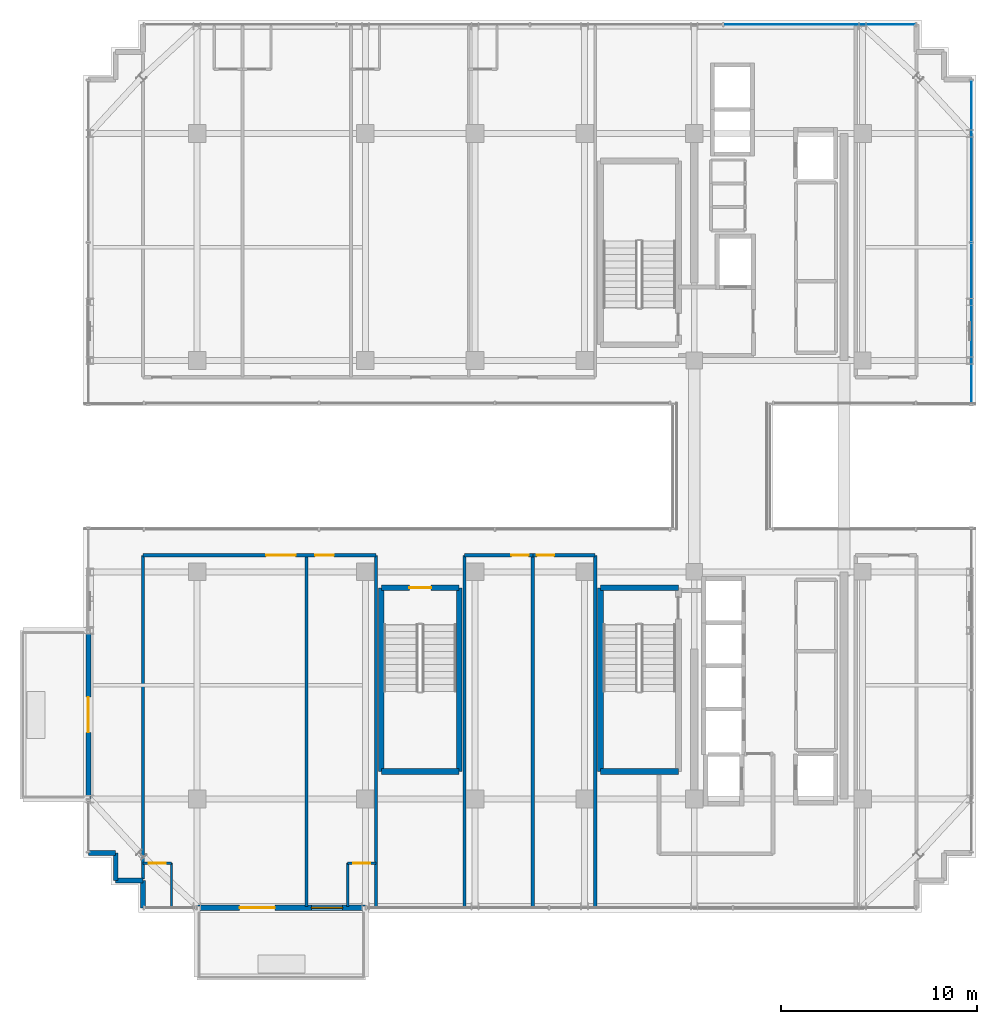
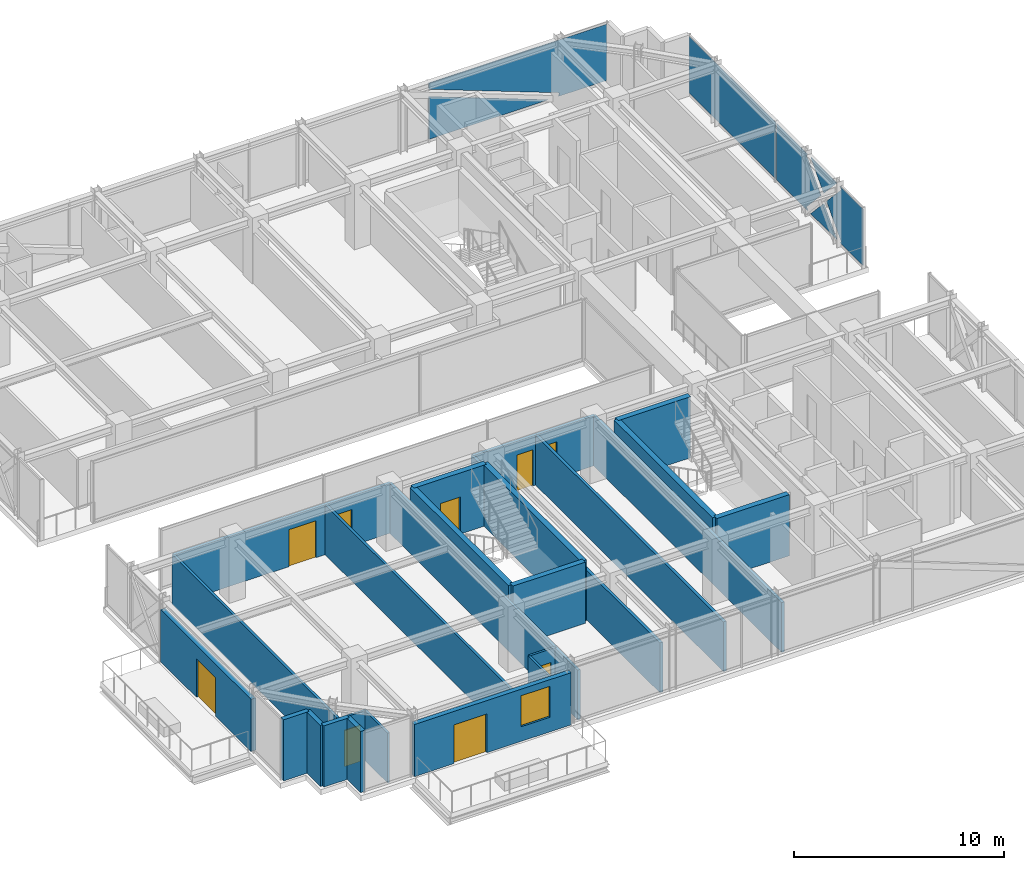
# One storey, part 30 of 37: 26 walls, 9 doors, 3 plates, 1 window, 10 openings, 2 elements without a shape of their own.
"""IFC4 building model written with IfcOpenShell, lengths in metres."""

from ifc_helpers import new_model, si_unit, direction, frame, frame_2d, origin, origin_2d, place, context, subcontext, project, spatial, polyline, rectangle, outline, extrude, source, transform, mapped, material, layer, layer_set, type_object, element, fill, aggregate, save


model = new_model("IFC4")

# Units and contexts
model_context = context("Model", 3, precision=1e-05, world=origin(), true_north=direction((0.0, 1.0)))
body_context = subcontext(model_context, "Body", "Model", "MODEL_VIEW")
ifc_project = project(units=[si_unit("LENGTHUNIT", "METRE"), si_unit("AREAUNIT", "SQUARE_METRE"), si_unit("VOLUMEUNIT", "CUBIC_METRE"), si_unit("PLANEANGLEUNIT", "RADIAN"), si_unit("MASSUNIT", "GRAM", prefix="KILO")], contexts=[model_context])

# Site, building, storey
site_placement = place(None, origin())
site = spatial("IfcSite", under=ifc_project, at=site_placement, CompositionType="ELEMENT")
building_placement = place(site_placement, origin())
building = spatial("IfcBuilding", under=site, at=building_placement, Name="Nahalor Promenade Grand Hotel", CompositionType="ELEMENT")
storey_placement = place(building_placement, frame((0.0, 0.0, 292.64990234375)))
storey = spatial("IfcBuildingStorey", under=building, at=storey_placement, Name="L75", CompositionType="ELEMENT", Elevation=292.64990234375)

# Curtain wall, plate
ifc_material_1 = material(Name="Anodised Bronze Aluminium EN AW-6063 T6", Category="aluminium")
curtain_wall_type = type_object("IfcCurtainWallType", Name="CW3 Elliptical-Void Collar Unitised Curtain Wall", PredefinedType="USERDEFINED", material=ifc_material_1)
curtain_wall_1_placement = place(storey_placement, origin())
curtain_wall_1 = element("IfcCurtainWall", 1, at=curtain_wall_1_placement, inside=storey, type_object=curtain_wall_type, Name="L75 Curtain Wall CW-L75-N-1", ObjectType="UNITISED_CURTAIN_WALL", PredefinedType="USERDEFINED")
ifc_material_2 = material(Name="Low-E Laminated Solar Glass", Category="glass")
ifc_layer_1 = layer(ifc_material_2, 0.030029296875)
ifc_layer_set_1 = layer_set([ifc_layer_1], Name="Low-E Laminated Solar Glass")
plate_type = type_object("IfcPlateType", Name="CWP3 High-Wind Laminated Bronze IGU 30mm", PredefinedType="CURTAIN_PANEL", material=ifc_layer_set_1)
plate_1_placement = place(storey_placement, frame((14.802490234375, 22.56005859375, 0.14013671875), z_axis=(0.0, 0.0, 1.0), x_axis=(1.0, 0.0, 0.0)))
plate_1 = element("IfcPlate", 2, at=plate_1_placement, type_object=plate_type, Name="CW-L75-N-1 Glazing Panel 3-0", PredefinedType="CURTAIN_PANEL", context=body_context, shape_type="SweptSolid", body=[
    extrude(outline(polyline([(4.887451171875, 3.27001953125), (-4.887451171875, 3.27001953125), (-4.887451171875, 2.9013671875), (2.29150390625, 0.188232421875), (2.220458984375, 0.0), (4.887451171875, 0.0), (4.887451171875, 3.27001953125)])), frame((0.0, 0.01513671875, 0.0), z_axis=(0.0, -1.0, 0.0), x_axis=(1.0, 0.0, 0.0)), (0.0, 0.0, 1.0), 0.030029296875),
    extrude(outline(polyline([(-4.887451171875, 2.4736328125), (-4.887451171875, 0.0), (1.658203125, 0.0), (-4.887451171875, 2.4736328125)])), frame((0.0, 0.01513671875, 0.0), z_axis=(0.0, -1.0, 0.0), x_axis=(1.0, 0.0, 0.0)), (0.0, 0.0, 1.0), 0.030029296875),
])
aggregate(curtain_wall_1, [plate_1])

# Curtain wall, plates
curtain_wall_2_placement = place(storey_placement, origin())
curtain_wall_2 = element("IfcCurtainWall", 3, at=curtain_wall_2_placement, inside=storey, type_object=curtain_wall_type, Name="L75 Curtain Wall CW-L75-E-2", ObjectType="UNITISED_CURTAIN_WALL", PredefinedType="USERDEFINED")
plate_2_placement = place(storey_placement, frame((22.56005859375, 7.282470703125, 0.14013671875), z_axis=(0.0, 0.0, 1.0), x_axis=(0.0, 1.0, 0.0)))
plate_2 = element("IfcPlate", 4, at=plate_2_placement, type_object=plate_type, Name="CW-L75-E-2 Glazing Panel 0-0", PredefinedType="CURTAIN_PANEL", context=body_context, shape_type="SweptSolid", body=[
    extrude(outline(polyline([(-4.112548828125, 3.27001953125), (-4.112548828125, 0.0), (-1.908447265625, 0.0), (-2.04638671875, 0.127197265625), (-0.65478515625, 1.635009765625), (-2.04638671875, 3.142822265625), (-1.908447265625, 3.27001953125), (-4.112548828125, 3.27001953125)])), frame((0.0, 0.01513671875, 0.0), z_axis=(0.0, -1.0, 0.0), x_axis=(1.0, 0.0, 0.0)), (0.0, 0.0, 1.0), 0.030029296875),
    extrude(outline(polyline([(-0.382568359375, 1.340087890625), (-1.61962890625, 0.0), (0.8544921875, 0.0), (-0.382568359375, 1.340087890625)])), frame((0.0, 0.01513671875, 0.0), z_axis=(0.0, -1.0, 0.0), x_axis=(1.0, 0.0, 0.0)), (0.0, 0.0, 1.0), 0.030029296875),
    extrude(outline(polyline([(-0.382568359375, 1.929931640625), (0.8544921875, 3.27001953125), (-1.61962890625, 3.27001953125), (-0.382568359375, 1.929931640625)])), frame((0.0, 0.01513671875, 0.0), z_axis=(0.0, -1.0, 0.0), x_axis=(1.0, 0.0, 0.0)), (0.0, 0.0, 1.0), 0.030029296875),
    extrude(outline(polyline([(4.112548828125, 0.0), (4.112548828125, 3.27001953125), (1.1435546875, 3.27001953125), (1.281494140625, 3.142822265625), (-0.1103515625, 1.635009765625), (1.281494140625, 0.127197265625), (1.1435546875, 0.0), (4.112548828125, 0.0)])), frame((0.0, 0.01513671875, 0.0), z_axis=(0.0, -1.0, 0.0), x_axis=(1.0, 0.0, 0.0)), (0.0, 0.0, 1.0), 0.030029296875),
])
shared_shape_1 = source(origin(), body_context, "Body", "SweptSolid", [
    extrude(rectangle(XDim=8.22509765625, YDim=0.030029296875, at=origin_2d()), origin(), (0.0, 0.0, 1.0), 3.27001953125),
])
plate_3_placement = place(storey_placement, frame((22.56005859375, 15.577392578125, 0.14013671875), z_axis=(0.0, 0.0, 1.0), x_axis=(0.0, 1.0, 0.0)))
plate_3 = element("IfcPlate", 5, at=plate_3_placement, type_object=plate_type, Name="CW-L75-E-2 Glazing Panel 1-0", PredefinedType="CURTAIN_PANEL", context=body_context, shape_type="MappedRepresentation", body=[
    mapped(shared_shape_1, transform((0.0, 0.0, 0.0), scale=1.0)),
])
aggregate(curtain_wall_2, [plate_2, plate_3])

# Walls
ifc_material_3 = material(Name="Concrete B-50 (C40/50)", Category="concrete")
ifc_layer_2 = layer(ifc_material_3, 0.300048828125)
ifc_layer_set_2 = layer_set([ifc_layer_2], Name="Concrete B-50 (C40/50)")
wall_type_1 = type_object("IfcWallType", Name="Wall-ShaftShear-300", PredefinedType="SHEAR", material=ifc_layer_set_2)
shared_shape_2 = source(origin(), body_context, "Body", "SweptSolid", [
    extrude(rectangle(XDim=3.97998046875, YDim=0.300048828125, at=frame_2d((1.989990234375, 0.0))), origin(), (0.0, 0.0, 1.0), 3.550048828125),
])
for number, where, z_axis, x_axis, name in (
    (6, (3.610107421875, -15.590087890625, 0.0), (0.0, 0.0, 1.0), (1.0, 0.0, 0.0), "L75 Exit Stair ST2 Shaft Wall S"),
    (7, (3.610107421875, -6.2099609375, 0.0), (0.0, 0.0, 1.0), (1.0, 0.0, 0.0), "L75 Exit Stair ST2 Shaft Wall N"),
    (8, (-7.590087890625, -15.590087890625, 0.0), (0.0, 0.0, 1.0), (1.0, 0.0, 0.0), "L75 Exit Stair ST3 Shaft Wall S"),
):
    element("IfcWall", number, at=place(storey_placement, frame(where, z_axis=z_axis, x_axis=x_axis)), inside=storey, type_object=wall_type_1, Name=name, PredefinedType="SHEAR", context=body_context, shape_type="MappedRepresentation", body=[
        mapped(shared_shape_2, transform((0.0, 0.0, 0.0), scale=1.0)),
    ])

# Wall, opening, door
wall_1_placement = place(storey_placement, frame((-7.590087890625, -6.2099609375, 0.0), z_axis=(0.0, 0.0, 1.0), x_axis=(1.0, 0.0, 0.0)))
wall_1 = element("IfcWall", 9, at=wall_1_placement, inside=storey, type_object=wall_type_1, Name="L75 Exit Stair ST3 Shaft Wall N", PredefinedType="SHEAR", context=body_context, shape_type="MappedRepresentation", body=[
    mapped(shared_shape_2, transform((0.0, 0.0, 0.0), scale=1.0)),
])
opening_1_placement = place(wall_1_placement, frame((1.43994140625, 0.0, 0.0)))
opening_1 = element("IfcOpeningElement", 10, at=opening_1_placement, cuts=wall_1, Name="Opening D-ST1", PredefinedType="OPENING", context=body_context, shape_type="SweptSolid", body=[
    extrude(rectangle(XDim=1.10009765625, YDim=2.14990234375, at=frame_2d((0.550048828125, 1.074951171875))), frame((0.0, 0.159912109375, 0.0), z_axis=(0.0, -1.0, 0.0), x_axis=(1.0, 0.0, 0.0)), (0.0, 0.0, 1.0), 0.320068359375),
])
ifc_material_4 = material(Name="Steel S355JR", Category="steel")
door_type_1 = type_object("IfcDoorType", Name="Door-StairFire-1100", OperationType="NOTDEFINED", PredefinedType="DOOR", material=ifc_material_4)
shared_shape_3 = source(origin(), body_context, "Body", "SweptSolid", [
    extrude(rectangle(XDim=1.10009765625, YDim=2.14990234375, at=frame_2d((0.550048828125, 1.074951171875))), frame((0.0, 0.02490234375, 0.0), z_axis=(0.0, -1.0, 0.0), x_axis=(1.0, 0.0, 0.0)), (0.0, 0.0, 1.0), 0.050048828125),
])
door_1_placement = place(opening_1_placement, frame((1.10009765625, 0.0, 0.0), z_axis=(0.0, 0.0, 1.0), x_axis=(-1.0, 0.0, 0.0)))
door_1 = element("IfcDoor", 11, at=door_1_placement, inside=storey, type_object=door_type_1, Name="DR-STAIR-ST3-L75", OperationType="SINGLE_SWING_RIGHT", OverallHeight=2.14990234375, OverallWidth=1.10009765625, PredefinedType="DOOR", context=body_context, shape_type="MappedRepresentation", body=[
    mapped(shared_shape_3, transform((0.0, 0.0, 0.0), scale=1.0)),
])
fill(opening_1, door_1)

# Walls
shared_shape_4 = source(origin(), body_context, "Body", "SweptSolid", [
    extrude(rectangle(XDim=9.380126953125, YDim=0.300048828125, at=frame_2d((4.68994140625, 0.0))), origin(), (0.0, 0.0, 1.0), 3.550048828125),
])
for number, where, z_axis, x_axis, name in (
    (12, (3.610107421875, -15.590087890625, 0.0), (0.0, 0.0, 1.0), (0.0, 1.0, 0.0), "L75 Exit Stair ST2 Shaft Wall W"),
    (13, (-7.590087890625, -15.590087890625, 0.0), (0.0, 0.0, 1.0), (0.0, 1.0, 0.0), "L75 Exit Stair ST3 Shaft Wall W"),
    (14, (-3.610107421875, -15.590087890625, 0.0), (0.0, 0.0, 1.0), (0.0, 1.0, 0.0), "L75 Exit Stair ST3 Shaft Wall E"),
):
    element("IfcWall", number, at=place(storey_placement, frame(where, z_axis=z_axis, x_axis=x_axis)), inside=storey, type_object=wall_type_1, Name=name, PredefinedType="SHEAR", context=body_context, shape_type="MappedRepresentation", body=[
        mapped(shared_shape_4, transform((0.0, 0.0, 0.0), scale=1.0)),
    ])
ifc_material_5 = material(Name="Concrete B-40 (C32/40)", Category="concrete")
ifc_layer_3 = layer(ifc_material_5, 0.25)
ifc_layer_set_3 = layer_set([ifc_layer_3], Name="Concrete B-40 (C32/40)")
wall_type_2 = type_object("IfcWallType", Name="Wall-BronzePier-250", PredefinedType="STANDARD", material=ifc_layer_set_3)
shared_shape_5 = source(origin(), body_context, "Body", "SweptSolid", [
    extrude(rectangle(XDim=1.400146484375, YDim=0.25, at=frame_2d((0.7001953125, 0.0))), origin(), (0.0, 0.0, 1.0), 3.550048828125),
])
for number, where, z_axis, x_axis, name in (
    (15, (-22.56005859375, -19.760009765625, 0.0), (0.0, 0.0, 1.0), (1.0, 0.0, 0.0), "W-L75-SR-13"),
    (16, (-19.760009765625, -22.56005859375, 0.0), (0.0, 0.0, 1.0), (0.0, 1.0, 0.0), "W-L75-SR-16"),
):
    element("IfcWall", number, at=place(storey_placement, frame(where, z_axis=z_axis, x_axis=x_axis)), inside=storey, type_object=wall_type_2, Name=name, PredefinedType="STANDARD", context=body_context, shape_type="MappedRepresentation", body=[
        mapped(shared_shape_5, transform((0.0, 0.0, 0.0), scale=1.0)),
    ])
shared_shape_6 = source(origin(), body_context, "Body", "SweptSolid", [
    extrude(rectangle(XDim=1.39990234375, YDim=0.25, at=frame_2d((0.699951171875, 0.0))), origin(), (0.0, 0.0, 1.0), 3.550048828125),
])
for number, where, z_axis, x_axis, name in (
    (17, (-21.159912109375, -21.159912109375, 0.0), (0.0, 0.0, 1.0), (0.0, 1.0, 0.0), "W-L75-SR-14"),
    (18, (-21.159912109375, -21.159912109375, 0.0), (0.0, 0.0, 1.0), (1.0, 0.0, 0.0), "W-L75-SR-15"),
):
    element("IfcWall", number, at=place(storey_placement, frame(where, z_axis=z_axis, x_axis=x_axis)), inside=storey, type_object=wall_type_2, Name=name, PredefinedType="STANDARD", context=body_context, shape_type="MappedRepresentation", body=[
        mapped(shared_shape_6, transform((0.0, 0.0, 0.0), scale=1.0)),
    ])

# Wall, openings, door, window
ifc_layer_4 = layer(ifc_material_5, 0.260009765625)
ifc_layer_set_4 = layer_set([ifc_layer_4], Name="Concrete B-40 (C32/40)")
wall_type_3 = type_object("IfcWallType", Name="Wall-BalconyWall-260", PredefinedType="STANDARD", material=ifc_layer_set_4)
shared_shape_7 = source(origin(), body_context, "Body", "SweptSolid", [
    extrude(rectangle(XDim=8.60009765625, YDim=0.260009765625, at=frame_2d((4.300048828125, 0.0))), origin(), (0.0, 0.0, 1.0), 3.030029296875),
])
wall_2_placement = place(storey_placement, frame((-17.0, -22.56005859375, 0.0), z_axis=(0.0, 0.0, 1.0), x_axis=(1.0, 0.0, 0.0)))
wall_2 = element("IfcWall", 19, at=wall_2_placement, inside=storey, type_object=wall_type_3, Name="W-L75-BALC-S-2", PredefinedType="STANDARD", context=body_context, shape_type="MappedRepresentation", body=[
    mapped(shared_shape_7, transform((0.0, 0.0, 0.0), scale=1.0)),
])
opening_2_placement = place(wall_2_placement, frame((2.169921875, 0.0, 0.0)))
opening_2 = element("IfcOpeningElement", 20, at=opening_2_placement, cuts=wall_2, Name="Opening D-BC1", PredefinedType="OPENING", context=body_context, shape_type="SweptSolid", body=[
    extrude(rectangle(XDim=1.800048828125, YDim=2.25, at=frame_2d((0.89990234375, 1.125))), frame((0.0, 0.139892578125, 0.0), z_axis=(0.0, -1.0, 0.0), x_axis=(1.0, 0.0, 0.0)), (0.0, 0.0, 1.0), 0.280029296875),
])
opening_3_placement = place(wall_2_placement, frame((5.840087890625, 0.0, 0.85009765625)))
opening_3 = element("IfcOpeningElement", 21, at=opening_3_placement, cuts=wall_2, Name="Opening WN-03", PredefinedType="OPENING", context=body_context, shape_type="SweptSolid", body=[
    extrude(rectangle(XDim=1.60009765625, YDim=1.800048828125, at=frame_2d((0.800048828125, 0.89990234375))), frame((0.0, 0.139892578125, 0.0), z_axis=(0.0, -1.0, 0.0), x_axis=(1.0, 0.0, 0.0)), (0.0, 0.0, 1.0), 0.280029296875),
])
door_type_2 = type_object("IfcDoorType", Name="Door-BalconySlide-1800", OperationType="DOUBLE_DOOR_SLIDING", PredefinedType="DOOR", material=ifc_material_1)
shared_shape_8 = source(origin(), body_context, "Body", "SweptSolid", [
    extrude(rectangle(XDim=1.800048828125, YDim=2.25, at=frame_2d((0.89990234375, 1.125))), frame((0.0, 0.02490234375, 0.0), z_axis=(0.0, -1.0, 0.0), x_axis=(1.0, 0.0, 0.0)), (0.0, 0.0, 1.0), 0.050048828125),
])
door_2_placement = place(opening_2_placement, frame((1.800048828125, 0.0, 0.0), z_axis=(0.0, 0.0, 1.0), x_axis=(-1.0, 0.0, 0.0)))
door_2 = element("IfcDoor", 22, at=door_2_placement, inside=storey, type_object=door_type_2, Name="DR-L75-BALC-S-2", OperationType="DOUBLE_DOOR_SLIDING", OverallHeight=2.25, OverallWidth=1.800048828125, PredefinedType="DOOR", context=body_context, shape_type="MappedRepresentation", body=[
    mapped(shared_shape_8, transform((0.0, 0.0, 0.0), scale=1.0)),
])
fill(opening_2, door_2)
window_type = type_object("IfcWindowType", Name="Win-CrownVented-1600x1800", PartitioningType="SINGLE_PANEL", PredefinedType="WINDOW", material=ifc_material_2)
shared_shape_9 = source(origin(), body_context, "Body", "SweptSolid", [
    extrude(rectangle(XDim=1.60009765625, YDim=1.800048828125, at=frame_2d((0.800048828125, 0.89990234375))), frame((0.0, 0.030029296875, 0.0), z_axis=(0.0, -1.0, 0.0), x_axis=(1.0, 0.0, 0.0)), (0.0, 0.0, 1.0), 0.06005859375),
])
window_placement = place(opening_3_placement, origin())
window = element("IfcWindow", 23, at=window_placement, inside=storey, type_object=window_type, Name="WN-L75-BALC-S-2-1", OverallHeight=1.800048828125, OverallWidth=1.60009765625, PartitioningType="SINGLE_PANEL", PredefinedType="WINDOW", context=body_context, shape_type="MappedRepresentation", body=[
    mapped(shared_shape_9, transform((0.0, 0.0, 0.0), scale=1.0)),
])
fill(opening_3, window)

# Wall, opening, door
wall_3_placement = place(storey_placement, frame((-22.56005859375, -17.0, 0.0), z_axis=(0.0, 0.0, 1.0), x_axis=(0.0, 1.0, 0.0)))
wall_3 = element("IfcWall", 24, at=wall_3_placement, inside=storey, type_object=wall_type_3, Name="W-L75-BALC-W-2", PredefinedType="STANDARD", context=body_context, shape_type="MappedRepresentation", body=[
    mapped(shared_shape_7, transform((0.0, 0.0, 0.0), scale=1.0)),
])
opening_4_placement = place(wall_3_placement, frame((3.39990234375, 0.0, 0.0)))
opening_4 = element("IfcOpeningElement", 25, at=opening_4_placement, cuts=wall_3, Name="Opening D-BC1", PredefinedType="OPENING", context=body_context, shape_type="SweptSolid", body=[
    extrude(rectangle(XDim=1.800048828125, YDim=2.25, at=frame_2d((0.89990234375, 1.125))), frame((0.0, 0.139892578125, 0.0), z_axis=(0.0, -1.0, 0.0), x_axis=(1.0, 0.0, 0.0)), (0.0, 0.0, 1.0), 0.280029296875),
])
door_3_placement = place(opening_4_placement, origin())
door_3 = element("IfcDoor", 26, at=door_3_placement, inside=storey, type_object=door_type_2, Name="DR-L75-BALC-W-2", OperationType="DOUBLE_DOOR_SLIDING", OverallHeight=2.25, OverallWidth=1.800048828125, PredefinedType="DOOR", context=body_context, shape_type="MappedRepresentation", body=[
    mapped(shared_shape_8, transform((0.0, 0.0, 0.0), scale=1.0)),
])
fill(opening_4, door_3)

# Walls
ifc_material_6 = material(Name="Acoustic Mineral Gypsum", Category="gypsum")
ifc_layer_5 = layer(ifc_material_6, 0.159912109375)
ifc_layer_set_5 = layer_set([ifc_layer_5], Name="Acoustic Mineral Gypsum")
wall_type_4 = type_object("IfcWallType", Name="Wall-PartCorridor-160", PredefinedType="PARTITIONING", material=ifc_layer_set_5)
shared_shape_10 = source(origin(), body_context, "Body", "SweptSolid", [
    extrude(rectangle(XDim=17.949951171875, YDim=0.159912109375, at=frame_2d((8.97509765625, 0.0))), origin(), (0.0, 0.0, 1.0), 2.89013671875),
])
for number, where, z_axis, x_axis, name in (
    (27, (-3.340087890625, -22.5, 0.0), (0.0, 0.0, 1.0), (0.0, 1.0, 0.0), "W-L75-SCB1-W"),
    (28, (0.14990234375, -22.5, 0.0), (0.0, 0.0, 1.0), (0.0, 1.0, 0.0), "W-L75-SCB1-E"),
    (29, (3.340087890625, -22.5, 0.0), (0.0, 0.0, 1.0), (0.0, 1.0, 0.0), "W-L75-SCB2-E"),
):
    element("IfcWall", number, at=place(storey_placement, frame(where, z_axis=z_axis, x_axis=x_axis)), inside=storey, type_object=wall_type_4, Name=name, PredefinedType="PARTITIONING", context=body_context, shape_type="MappedRepresentation", body=[
        mapped(shared_shape_10, transform((0.0, 0.0, 0.0), scale=1.0)),
    ])
ifc_layer_6 = layer(ifc_material_6, 0.139892578125)
ifc_layer_set_6 = layer_set([ifc_layer_6], Name="Acoustic Mineral Gypsum")
wall_type_5 = type_object("IfcWallType", Name="Wall-PartSuite-140", PredefinedType="PARTITIONING", material=ifc_layer_set_6)
shared_shape_11 = source(origin(), body_context, "Body", "SweptSolid", [
    extrude(rectangle(XDim=16.530029296875, YDim=0.139892578125, at=frame_2d((8.26513671875, 0.0))), origin(), (0.0, 0.0, 1.0), 2.89013671875),
])
wall_4_placement = place(storey_placement, frame((-19.760009765625, -21.080078125, 0.0), z_axis=(0.0, 0.0, 1.0), x_axis=(0.0, 1.0, 0.0)))
element("IfcWall", 30, at=wall_4_placement, inside=storey, type_object=wall_type_5, Name="W-L75-SW-ENDW", PredefinedType="PARTITIONING", context=body_context, shape_type="MappedRepresentation", body=[
    mapped(shared_shape_11, transform((0.0, 0.0, 0.0), scale=1.0)),
])
shared_shape_12 = source(origin(), body_context, "Body", "SweptSolid", [
    extrude(rectangle(XDim=17.949951171875, YDim=0.139892578125, at=frame_2d((8.97509765625, 0.0))), origin(), (0.0, 0.0, 1.0), 2.89013671875),
])
for number, where, z_axis, x_axis, name in (
    (31, (-7.860107421875, -22.5, 0.0), (0.0, 0.0, 1.0), (0.0, 1.0, 0.0), "W-L75-SW-ENDE"),
    (32, (-11.409912109375, -22.5, 0.0), (0.0, 0.0, 1.0), (0.0, 1.0, 0.0), "W-L75-SP-1"),
):
    element("IfcWall", number, at=place(storey_placement, frame(where, z_axis=z_axis, x_axis=x_axis)), inside=storey, type_object=wall_type_5, Name=name, PredefinedType="PARTITIONING", context=body_context, shape_type="MappedRepresentation", body=[
        mapped(shared_shape_12, transform((0.0, 0.0, 0.0), scale=1.0)),
    ])

# Wall, opening, door
ifc_layer_7 = layer(ifc_material_6, 0.1201171875)
ifc_layer_set_7 = layer_set([ifc_layer_7], Name="Acoustic Mineral Gypsum")
wall_type_6 = type_object("IfcWallType", Name="Wall-PartBath-120", PredefinedType="PARTITIONING", material=ifc_layer_set_7)
shared_shape_13 = source(origin(), body_context, "Body", "SweptSolid", [
    extrude(rectangle(XDim=1.449951171875, YDim=0.1201171875, at=frame_2d((0.72509765625, 0.0))), origin(), (0.0, 0.0, 1.0), 2.89013671875),
])
wall_5_placement = place(storey_placement, frame((-19.760009765625, -20.280029296875, 0.0), z_axis=(0.0, 0.0, 1.0), x_axis=(1.0, 0.0, 0.0)))
wall_5 = element("IfcWall", 33, at=wall_5_placement, inside=storey, type_object=wall_type_6, Name="W-L75-S1-BH", PredefinedType="PARTITIONING", context=body_context, shape_type="MappedRepresentation", body=[
    mapped(shared_shape_13, transform((0.0, 0.0, 0.0), scale=1.0)),
])
opening_5_placement = place(wall_5_placement, frame((0.284912109375, 0.0, 0.0)))
opening_5 = element("IfcOpeningElement", 34, at=opening_5_placement, cuts=wall_5, Name="Opening D-03", PredefinedType="OPENING", context=body_context, shape_type="SweptSolid", body=[
    extrude(rectangle(XDim=0.8798828125, YDim=2.10009765625, at=frame_2d((0.43994140625, 1.050048828125))), frame((0.0, 0.070068359375, 0.0), z_axis=(0.0, -1.0, 0.0), x_axis=(1.0, 0.0, 0.0)), (0.0, 0.0, 1.0), 0.14013671875),
])
ifc_material_7 = material(Name="Fire-Rated Timber Composite", Category="wood")
door_type_3 = type_object("IfcDoorType", Name="Door-BathSwing-880", OperationType="NOTDEFINED", PredefinedType="DOOR", material=ifc_material_7)
shared_shape_14 = source(origin(), body_context, "Body", "SweptSolid", [
    extrude(rectangle(XDim=0.8798828125, YDim=2.10009765625, at=frame_2d((0.43994140625, 1.050048828125))), frame((0.0, 0.02490234375, 0.0), z_axis=(0.0, -1.0, 0.0), x_axis=(1.0, 0.0, 0.0)), (0.0, 0.0, 1.0), 0.050048828125),
])
door_4_placement = place(opening_5_placement, frame((0.8798828125, 0.0, 0.0), z_axis=(0.0, 0.0, 1.0), x_axis=(-1.0, 0.0, 0.0)))
door_4 = element("IfcDoor", 35, at=door_4_placement, inside=storey, type_object=door_type_3, Name="DR-L75-S1-BATH", OperationType="SINGLE_SWING_RIGHT", OverallHeight=2.10009765625, OverallWidth=0.8798828125, PredefinedType="DOOR", context=body_context, shape_type="MappedRepresentation", body=[
    mapped(shared_shape_14, transform((0.0, 0.0, 0.0), scale=1.0)),
])
fill(opening_5, door_4)

wall_6_placement = place(storey_placement, frame((-9.31005859375, -20.280029296875, 0.0), z_axis=(0.0, 0.0, 1.0), x_axis=(1.0, 0.0, 0.0)))
wall_6 = element("IfcWall", 36, at=wall_6_placement, inside=storey, type_object=wall_type_6, Name="W-L75-S2-BH", PredefinedType="PARTITIONING", context=body_context, shape_type="MappedRepresentation", body=[
    mapped(shared_shape_13, transform((0.0, 0.0, 0.0), scale=1.0)),
])
opening_6_placement = place(wall_6_placement, frame((0.284912109375, 0.0, 0.0)))
opening_6 = element("IfcOpeningElement", 37, at=opening_6_placement, cuts=wall_6, Name="Opening D-03", PredefinedType="OPENING", context=body_context, shape_type="SweptSolid", body=[
    extrude(rectangle(XDim=0.8798828125, YDim=2.10009765625, at=frame_2d((0.43994140625, 1.050048828125))), frame((0.0, 0.070068359375, 0.0), z_axis=(0.0, -1.0, 0.0), x_axis=(1.0, 0.0, 0.0)), (0.0, 0.0, 1.0), 0.14013671875),
])
door_5_placement = place(opening_6_placement, frame((0.8798828125, 0.0, 0.0), z_axis=(0.0, 0.0, 1.0), x_axis=(-1.0, 0.0, 0.0)))
door_5 = element("IfcDoor", 38, at=door_5_placement, inside=storey, type_object=door_type_3, Name="DR-L75-S2-BATH", OperationType="SINGLE_SWING_LEFT", OverallHeight=2.10009765625, OverallWidth=0.8798828125, PredefinedType="DOOR", context=body_context, shape_type="MappedRepresentation", body=[
    mapped(shared_shape_14, transform((0.0, 0.0, 0.0), scale=1.0)),
])
fill(opening_6, door_5)

# Walls
shared_shape_15 = source(origin(), body_context, "Body", "SweptSolid", [
    extrude(rectangle(XDim=2.219970703125, YDim=0.1201171875, at=frame_2d((1.10986328125, 0.0))), origin(), (0.0, 0.0, 1.0), 2.89013671875),
])
for number, where, z_axis, x_axis, name in (
    (39, (-18.31005859375, -22.5, 0.0), (0.0, 0.0, 1.0), (0.0, 1.0, 0.0), "W-L75-S1-BV"),
    (40, (-9.31005859375, -22.5, 0.0), (0.0, 0.0, 1.0), (0.0, 1.0, 0.0), "W-L75-S2-BV"),
):
    element("IfcWall", number, at=place(storey_placement, frame(where, z_axis=z_axis, x_axis=x_axis)), inside=storey, type_object=wall_type_6, Name=name, PredefinedType="PARTITIONING", context=body_context, shape_type="MappedRepresentation", body=[
        mapped(shared_shape_15, transform((0.0, 0.0, 0.0), scale=1.0)),
    ])

# Wall, openings, doors
shared_shape_16 = source(origin(), body_context, "Body", "SweptSolid", [
    extrude(rectangle(XDim=11.89990234375, YDim=0.159912109375, at=frame_2d((5.949951171875, 0.0))), origin(), (0.0, 0.0, 1.0), 2.89013671875),
])
wall_7_placement = place(storey_placement, frame((-19.760009765625, -4.550048828125, 0.0), z_axis=(0.0, 0.0, 1.0), x_axis=(1.0, 0.0, 0.0)))
wall_7 = element("IfcWall", 41, at=wall_7_placement, inside=storey, type_object=wall_type_4, Name="W-L75-CORR-S", PredefinedType="PARTITIONING", context=body_context, shape_type="MappedRepresentation", body=[
    mapped(shared_shape_16, transform((0.0, 0.0, 0.0), scale=1.0)),
])
opening_7_placement = place(wall_7_placement, frame((6.2900390625, 0.0, 0.0)))
opening_7 = element("IfcOpeningElement", 42, at=opening_7_placement, cuts=wall_7, Name="Opening D-02", PredefinedType="OPENING", context=body_context, shape_type="SweptSolid", body=[
    extrude(rectangle(XDim=1.5, YDim=2.14990234375, at=frame_2d((0.75, 1.074951171875))), frame((0.0, 0.08984375, 0.0), z_axis=(0.0, -1.0, 0.0), x_axis=(1.0, 0.0, 0.0)), (0.0, 0.0, 1.0), 0.179931640625),
])
opening_8_placement = place(wall_7_placement, frame((8.7939453125, 0.0, 0.0)))
opening_8 = element("IfcOpeningElement", 43, at=opening_8_placement, cuts=wall_7, Name="Opening D-01", PredefinedType="OPENING", context=body_context, shape_type="SweptSolid", body=[
    extrude(rectangle(XDim=0.949951171875, YDim=2.10009765625, at=frame_2d((0.47509765625, 1.050048828125))), frame((0.0, 0.08984375, 0.0), z_axis=(0.0, -1.0, 0.0), x_axis=(1.0, 0.0, 0.0)), (0.0, 0.0, 1.0), 0.179931640625),
])
door_type_4 = type_object("IfcDoorType", Name="Door-SuiteDouble-1500", OperationType="DOUBLE_DOOR_SINGLE_SWING", PredefinedType="DOOR", material=ifc_material_7)
shared_shape_17 = source(origin(), body_context, "Body", "SweptSolid", [
    extrude(rectangle(XDim=1.5, YDim=2.14990234375, at=frame_2d((0.75, 1.074951171875))), frame((0.0, 0.02490234375, 0.0), z_axis=(0.0, -1.0, 0.0), x_axis=(1.0, 0.0, 0.0)), (0.0, 0.0, 1.0), 0.050048828125),
])
door_6_placement = place(opening_7_placement, frame((1.5, 0.0, 0.0), z_axis=(0.0, 0.0, 1.0), x_axis=(-1.0, 0.0, 0.0)))
door_6 = element("IfcDoor", 44, at=door_6_placement, inside=storey, type_object=door_type_4, Name="DR-L75-S1-ENT", OperationType="DOUBLE_DOOR_SINGLE_SWING", OverallHeight=2.14990234375, OverallWidth=1.5, PredefinedType="DOOR", context=body_context, shape_type="MappedRepresentation", body=[
    mapped(shared_shape_17, transform((0.0, 0.0, 0.0), scale=1.0)),
])
fill(opening_7, door_6)
door_type_5 = type_object("IfcDoorType", Name="Door-GuestEntry-950", OperationType="NOTDEFINED", PredefinedType="DOOR", material=ifc_material_7)
shared_shape_18 = source(origin(), body_context, "Body", "SweptSolid", [
    extrude(rectangle(XDim=0.949951171875, YDim=2.10009765625, at=frame_2d((0.47509765625, 1.050048828125))), frame((0.0, 0.02490234375, 0.0), z_axis=(0.0, -1.0, 0.0), x_axis=(1.0, 0.0, 0.0)), (0.0, 0.0, 1.0), 0.050048828125),
])
door_7_placement = place(opening_8_placement, frame((0.949951171875, 0.0, 0.0), z_axis=(0.0, 0.0, 1.0), x_axis=(-1.0, 0.0, 0.0)))
door_7 = element("IfcDoor", 45, at=door_7_placement, inside=storey, type_object=door_type_5, Name="DR-L75-S2-ENT", OperationType="SINGLE_SWING_RIGHT", OverallHeight=2.10009765625, OverallWidth=0.949951171875, PredefinedType="DOOR", context=body_context, shape_type="MappedRepresentation", body=[
    mapped(shared_shape_18, transform((0.0, 0.0, 0.0), scale=1.0)),
])
fill(opening_8, door_7)

# Wall, opening, door
shared_shape_19 = source(origin(), body_context, "Body", "SweptSolid", [
    extrude(rectangle(XDim=3.489990234375, YDim=0.159912109375, at=frame_2d((1.7451171875, 0.0))), origin(), (0.0, 0.0, 1.0), 2.89013671875),
])
wall_8_placement = place(storey_placement, frame((-3.340087890625, -4.550048828125, 0.0), z_axis=(0.0, 0.0, 1.0), x_axis=(1.0, 0.0, 0.0)))
wall_8 = element("IfcWall", 46, at=wall_8_placement, inside=storey, type_object=wall_type_4, Name="W-L75-SCB1-N", PredefinedType="PARTITIONING", context=body_context, shape_type="MappedRepresentation", body=[
    mapped(shared_shape_19, transform((0.0, 0.0, 0.0), scale=1.0)),
])
opening_9_placement = place(wall_8_placement, frame((2.39990234375, 0.0, 0.0)))
opening_9 = element("IfcOpeningElement", 47, at=opening_9_placement, cuts=wall_8, Name="Opening D-03", PredefinedType="OPENING", context=body_context, shape_type="SweptSolid", body=[
    extrude(rectangle(XDim=0.8798828125, YDim=2.10009765625, at=frame_2d((0.43994140625, 1.050048828125))), frame((0.0, 0.08984375, 0.0), z_axis=(0.0, -1.0, 0.0), x_axis=(1.0, 0.0, 0.0)), (0.0, 0.0, 1.0), 0.179931640625),
])
door_8_placement = place(opening_9_placement, frame((0.8798828125, 0.0, 0.0), z_axis=(0.0, 0.0, 1.0), x_axis=(-1.0, 0.0, 0.0)))
door_8 = element("IfcDoor", 48, at=door_8_placement, inside=storey, type_object=door_type_3, Name="DR-L75-SCB1", OperationType="SINGLE_SWING_LEFT", OverallHeight=2.10009765625, OverallWidth=0.8798828125, PredefinedType="DOOR", context=body_context, shape_type="MappedRepresentation", body=[
    mapped(shared_shape_14, transform((0.0, 0.0, 0.0), scale=1.0)),
])
fill(opening_9, door_8)

shared_shape_20 = source(origin(), body_context, "Body", "SweptSolid", [
    extrude(rectangle(XDim=3.190185546875, YDim=0.159912109375, at=frame_2d((1.59521484375, 0.0))), origin(), (0.0, 0.0, 1.0), 2.89013671875),
])
wall_9_placement = place(storey_placement, frame((0.14990234375, -4.550048828125, 0.0), z_axis=(0.0, 0.0, 1.0), x_axis=(1.0, 0.0, 0.0)))
wall_9 = element("IfcWall", 49, at=wall_9_placement, inside=storey, type_object=wall_type_4, Name="W-L75-SCB2-N", PredefinedType="PARTITIONING", context=body_context, shape_type="MappedRepresentation", body=[
    mapped(shared_shape_20, transform((0.0, 0.0, 0.0), scale=1.0)),
])
opening_10_placement = place(wall_9_placement, frame((0.2099609375, 0.0, 0.0)))
opening_10 = element("IfcOpeningElement", 50, at=opening_10_placement, cuts=wall_9, Name="Opening D-03", PredefinedType="OPENING", context=body_context, shape_type="SweptSolid", body=[
    extrude(rectangle(XDim=0.8798828125, YDim=2.10009765625, at=frame_2d((0.43994140625, 1.050048828125))), frame((0.0, 0.08984375, 0.0), z_axis=(0.0, -1.0, 0.0), x_axis=(1.0, 0.0, 0.0)), (0.0, 0.0, 1.0), 0.179931640625),
])
door_9_placement = place(opening_10_placement, frame((0.8798828125, 0.0, 0.0), z_axis=(0.0, 0.0, 1.0), x_axis=(-1.0, 0.0, 0.0)))
door_9 = element("IfcDoor", 51, at=door_9_placement, inside=storey, type_object=door_type_3, Name="DR-L75-SCB2", OperationType="SINGLE_SWING_RIGHT", OverallHeight=2.10009765625, OverallWidth=0.8798828125, PredefinedType="DOOR", context=body_context, shape_type="MappedRepresentation", body=[
    mapped(shared_shape_14, transform((0.0, 0.0, 0.0), scale=1.0)),
])
fill(opening_10, door_9)

save(model, "model.ifc")
